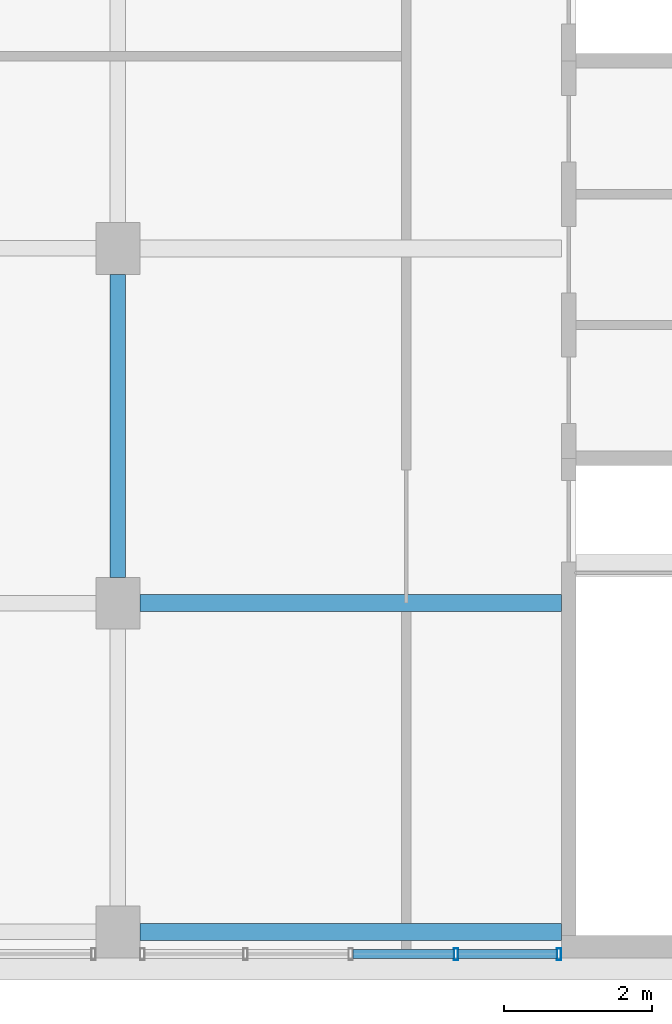
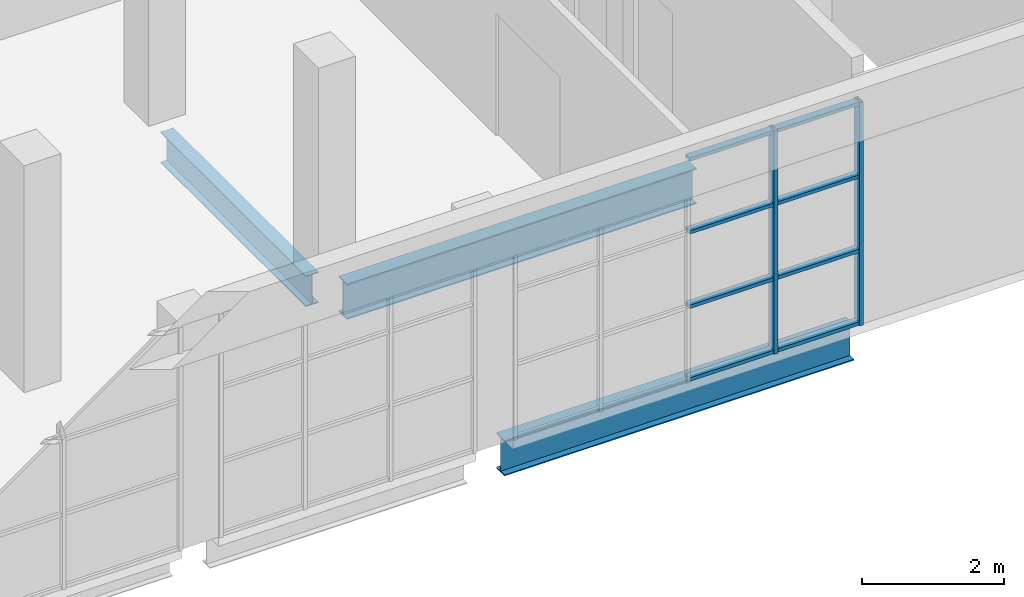
# One storey, part 3 of 22: 10 members, 3 beams, 1 element without a shape of its own.
"""IFC4 building model written with IfcOpenShell, lengths in metres."""

from ifc_helpers import new_model, si_unit, direction, frame, origin, origin_2d, place, context, subcontext, project, spatial, hollow_rectangle, i_section, extrude, material, layer, layer_set, material_profile, profile_set, type_object, element, aggregate, save


model = new_model("IFC4")

# Units and contexts
model_context = context("Model", 3, precision=1e-05, world=origin(), true_north=direction((0.0, 1.0)))
body_context = subcontext(model_context, "Body", "Model", "MODEL_VIEW")
ifc_project = project(units=[si_unit("LENGTHUNIT", "METRE"), si_unit("AREAUNIT", "SQUARE_METRE"), si_unit("VOLUMEUNIT", "CUBIC_METRE"), si_unit("PLANEANGLEUNIT", "RADIAN"), si_unit("MASSUNIT", "GRAM", prefix="KILO")], contexts=[model_context])

# Site, building, storey
site_placement = place(None, origin())
site = spatial("IfcSite", under=ifc_project, at=site_placement, CompositionType="ELEMENT")
building_placement = place(site_placement, origin())
building = spatial("IfcBuilding", under=site, at=building_placement, Name="Baori Bourse Tower", CompositionType="ELEMENT")
storey_placement = place(building_placement, frame((0.0, 0.0, 25.800048828125)))
storey = spatial("IfcBuildingStorey", under=building, at=storey_placement, Name="L04", CompositionType="ELEMENT", Elevation=25.800048828125)

# Beams
ifc_material_1 = material(Name="Steel A992 Gr 50", Category="steel")
ifc_material_profile_1 = material_profile(ifc_material_1, i_section(OverallWidth=0.209228515625, OverallDepth=0.533447265625, WebThickness=0.01025390625, FlangeThickness=0.015625, at=origin_2d()), Name="W21x62")
ifc_profile_set_1 = profile_set([ifc_material_profile_1], Name="Steel A992 Gr 50")
beam_type_1 = type_object("IfcBeamType", Name="Wing beam W21x62", PredefinedType="BEAM", material=ifc_profile_set_1)
beam_placement = place(storey_placement, frame((-9.60009765625, -20.050048828125, -0.4267578125), z_axis=(0.0, 1.0, 0.0), x_axis=(-1.0, 0.0, 0.0)))
element("IfcBeam", 1, at=beam_placement, inside=storey, type_object=beam_type_1, Name="wing/L04/Wbeamy/007", PredefinedType="BEAM", context=body_context, shape_type="SweptSolid", body=[
    extrude(i_section(OverallWidth=0.209228515625, OverallDepth=0.533447265625, WebThickness=0.01025390625, FlangeThickness=0.015625, at=origin_2d()), origin(), (0.0, 0.0, 1.0), 4.10009765625),
])
ifc_material_2 = material(Name="Steel A992 Gr 50", Category="steel")
ifc_material_profile_2 = material_profile(ifc_material_2, i_section(OverallWidth=0.22900390625, OverallDepth=0.612060546875, WebThickness=0.011962890625, FlangeThickness=0.01953125, at=origin_2d()), Name="W24x84")
ifc_profile_set_2 = profile_set([ifc_material_profile_2], Name="Steel A992 Gr 50")
beam_type_2 = type_object("IfcBeamType", Name="Wing beam W24x84", PredefinedType="BEAM", material=ifc_profile_set_2)
for number, where, z_axis, x_axis, name in (
    (2, (-9.300048828125, -24.85009765625, -0.466064453125), (1.0, 0.0, 0.0), (0.0, 1.0, 0.0), "wing/L04/Wbeam/003"),
    (3, (-9.300048828125, -20.39990234375, -0.466064453125), (1.0, 0.0, 0.0), (0.0, 1.0, 0.0), "wing/L04/Wbeam/006"),
):
    element("IfcBeam", number, at=place(storey_placement, frame(where, z_axis=z_axis, x_axis=x_axis)), inside=storey, type_object=beam_type_2, Name=name, PredefinedType="BEAM", context=body_context, shape_type="SweptSolid", body=[
        extrude(i_section(OverallWidth=0.22900390625, OverallDepth=0.612060546875, WebThickness=0.011962890625, FlangeThickness=0.01953125, at=origin_2d()), origin(), (0.0, 0.0, 1.0), 5.699951171875),
    ])

# Curtain wall, members
ifc_material_3 = material(Name="Pale anodised aluminium", Category="aluminium")
ifc_layer = layer(ifc_material_3, 0.10009765625)
ifc_layer_set = layer_set([ifc_layer], Name="Wing curtain wall")
curtain_wall_type = type_object("IfcCurtainWallType", Name="Wing curtain wall", PredefinedType="NOTDEFINED", material=ifc_layer_set)
curtain_wall_placement = place(storey_placement, origin())
curtain_wall = element("IfcCurtainWall", 4, at=curtain_wall_placement, inside=storey, type_object=curtain_wall_type, Name="wing/L04/Wcw/003", PredefinedType="NOTDEFINED")
ifc_material_4 = material(Name="Pale anodised aluminium", Category="aluminium")
ifc_material_profile_3 = material_profile(ifc_material_4, hollow_rectangle(XDim=0.159912109375, YDim=0.06005859375, WallThickness=0.0048828125, at=origin_2d()), Name="Mullion 160x60x5")
ifc_profile_set_3 = profile_set([ifc_material_profile_3], Name="Pale anodised aluminium")
member_type_1 = type_object("IfcMemberType", Name="Wing mullion 60x160", PredefinedType="MULLION", material=ifc_profile_set_3)
member_1_placement = place(storey_placement, frame((-5.02490234375, -25.14990234375, 0.0), z_axis=(0.0, 0.0, 1.0), x_axis=(0.0, 1.0, 0.0)))
member_1 = element("IfcMember", 5, at=member_1_placement, type_object=member_type_1, Name="X12 mullion 4", PredefinedType="MULLION", context=body_context, shape_type="SweptSolid", body=[
    extrude(hollow_rectangle(XDim=0.159912109375, YDim=0.06005859375, WallThickness=0.0048828125, at=origin_2d()), origin(), (0.0, 0.0, 1.0), 3.849853515625),
])
member_2_placement = place(storey_placement, frame((-3.6298828125, -25.14990234375, 0.0), z_axis=(0.0, 0.0, 1.0), x_axis=(0.0, 1.0, 0.0)))
member_2 = element("IfcMember", 6, at=member_2_placement, type_object=member_type_1, Name="X12 mullion 5", PredefinedType="MULLION", context=body_context, shape_type="SweptSolid", body=[
    extrude(hollow_rectangle(XDim=0.159912109375, YDim=0.06005859375, WallThickness=0.0048828125, at=origin_2d()), origin(), (0.0, 0.0, 1.0), 3.849853515625),
])
ifc_material_5 = material(Name="Pale anodised aluminium", Category="aluminium")
ifc_material_profile_4 = material_profile(ifc_material_5, hollow_rectangle(XDim=0.1201171875, YDim=0.06005859375, WallThickness=0.0048828125, at=origin_2d()), Name="Transom 120x60x5")
ifc_profile_set_4 = profile_set([ifc_material_profile_4], Name="Pale anodised aluminium")
member_type_2 = type_object("IfcMemberType", Name="Wing transom 120x60", PredefinedType="USERDEFINED", material=ifc_profile_set_4)
member_3_placement = place(storey_placement, frame((-6.419921875, -25.14990234375, 0.030029296875), z_axis=(1.0, 0.0, 0.0), x_axis=(0.0, 1.0, 0.0)))
member_3 = element("IfcMember", 7, at=member_3_placement, type_object=member_type_2, Name="X12 transom 3.1", ObjectType="TRANSOM", PredefinedType="USERDEFINED", context=body_context, shape_type="SweptSolid", body=[
    extrude(hollow_rectangle(XDim=0.1201171875, YDim=0.06005859375, WallThickness=0.0048828125, at=origin_2d()), origin(), (0.0, 0.0, 1.0), 1.364990234375),
])
member_4_placement = place(storey_placement, frame((-6.419921875, -25.14990234375, 1.283203125), z_axis=(1.0, 0.0, 0.0), x_axis=(0.0, 1.0, 0.0)))
member_4 = element("IfcMember", 8, at=member_4_placement, type_object=member_type_2, Name="X12 transom 3.2", ObjectType="TRANSOM", PredefinedType="USERDEFINED", context=body_context, shape_type="SweptSolid", body=[
    extrude(hollow_rectangle(XDim=0.1201171875, YDim=0.06005859375, WallThickness=0.0048828125, at=origin_2d()), origin(), (0.0, 0.0, 1.0), 1.364990234375),
])
member_5_placement = place(storey_placement, frame((-6.419921875, -25.14990234375, 2.566650390625), z_axis=(1.0, 0.0, 0.0), x_axis=(0.0, 1.0, 0.0)))
member_5 = element("IfcMember", 9, at=member_5_placement, type_object=member_type_2, Name="X12 transom 3.3", ObjectType="TRANSOM", PredefinedType="USERDEFINED", context=body_context, shape_type="SweptSolid", body=[
    extrude(hollow_rectangle(XDim=0.1201171875, YDim=0.06005859375, WallThickness=0.0048828125, at=origin_2d()), origin(), (0.0, 0.0, 1.0), 1.364990234375),
])
member_6_placement = place(storey_placement, frame((-6.419921875, -25.14990234375, 3.820068359375), z_axis=(1.0, 0.0, 0.0), x_axis=(0.0, 1.0, 0.0)))
member_6 = element("IfcMember", 10, at=member_6_placement, type_object=member_type_2, Name="X12 transom 3.4", ObjectType="TRANSOM", PredefinedType="USERDEFINED", context=body_context, shape_type="SweptSolid", body=[
    extrude(hollow_rectangle(XDim=0.1201171875, YDim=0.06005859375, WallThickness=0.0048828125, at=origin_2d()), origin(), (0.0, 0.0, 1.0), 1.364990234375),
])
member_7_placement = place(storey_placement, frame((-4.9951171875, -25.14990234375, 0.030029296875), z_axis=(1.0, 0.0, 0.0), x_axis=(0.0, 1.0, 0.0)))
member_7 = element("IfcMember", 11, at=member_7_placement, type_object=member_type_2, Name="X12 transom 4.1", ObjectType="TRANSOM", PredefinedType="USERDEFINED", context=body_context, shape_type="SweptSolid", body=[
    extrude(hollow_rectangle(XDim=0.1201171875, YDim=0.06005859375, WallThickness=0.0048828125, at=origin_2d()), origin(), (0.0, 0.0, 1.0), 1.335205078125),
])
member_8_placement = place(storey_placement, frame((-4.9951171875, -25.14990234375, 1.283203125), z_axis=(1.0, 0.0, 0.0), x_axis=(0.0, 1.0, 0.0)))
member_8 = element("IfcMember", 12, at=member_8_placement, type_object=member_type_2, Name="X12 transom 4.2", ObjectType="TRANSOM", PredefinedType="USERDEFINED", context=body_context, shape_type="SweptSolid", body=[
    extrude(hollow_rectangle(XDim=0.1201171875, YDim=0.06005859375, WallThickness=0.0048828125, at=origin_2d()), origin(), (0.0, 0.0, 1.0), 1.335205078125),
])
member_9_placement = place(storey_placement, frame((-4.9951171875, -25.14990234375, 2.566650390625), z_axis=(1.0, 0.0, 0.0), x_axis=(0.0, 1.0, 0.0)))
member_9 = element("IfcMember", 13, at=member_9_placement, type_object=member_type_2, Name="X12 transom 4.3", ObjectType="TRANSOM", PredefinedType="USERDEFINED", context=body_context, shape_type="SweptSolid", body=[
    extrude(hollow_rectangle(XDim=0.1201171875, YDim=0.06005859375, WallThickness=0.0048828125, at=origin_2d()), origin(), (0.0, 0.0, 1.0), 1.335205078125),
])
member_10_placement = place(storey_placement, frame((-4.9951171875, -25.14990234375, 3.820068359375), z_axis=(1.0, 0.0, 0.0), x_axis=(0.0, 1.0, 0.0)))
member_10 = element("IfcMember", 14, at=member_10_placement, type_object=member_type_2, Name="X12 transom 4.4", ObjectType="TRANSOM", PredefinedType="USERDEFINED", context=body_context, shape_type="SweptSolid", body=[
    extrude(hollow_rectangle(XDim=0.1201171875, YDim=0.06005859375, WallThickness=0.0048828125, at=origin_2d()), origin(), (0.0, 0.0, 1.0), 1.335205078125),
])
aggregate(curtain_wall, [member_1, member_2, member_3, member_4, member_5, member_6, member_7, member_8, member_9, member_10])

save(model, "model.ifc")
